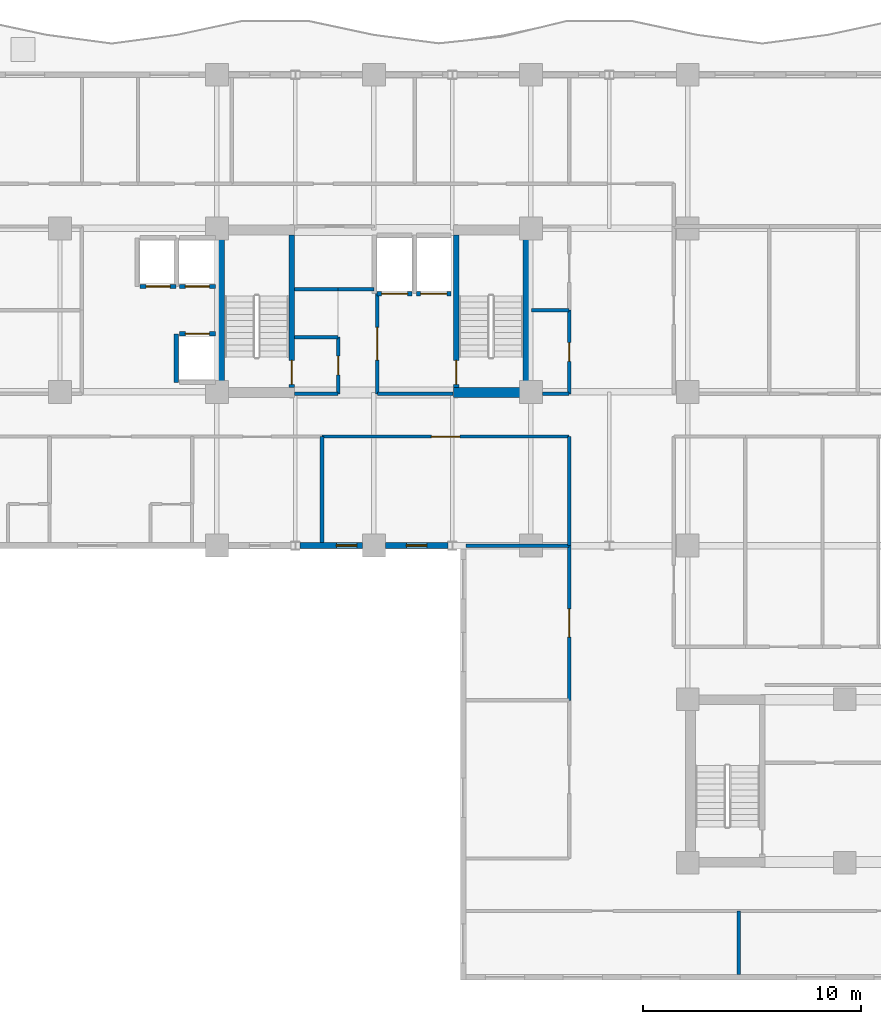
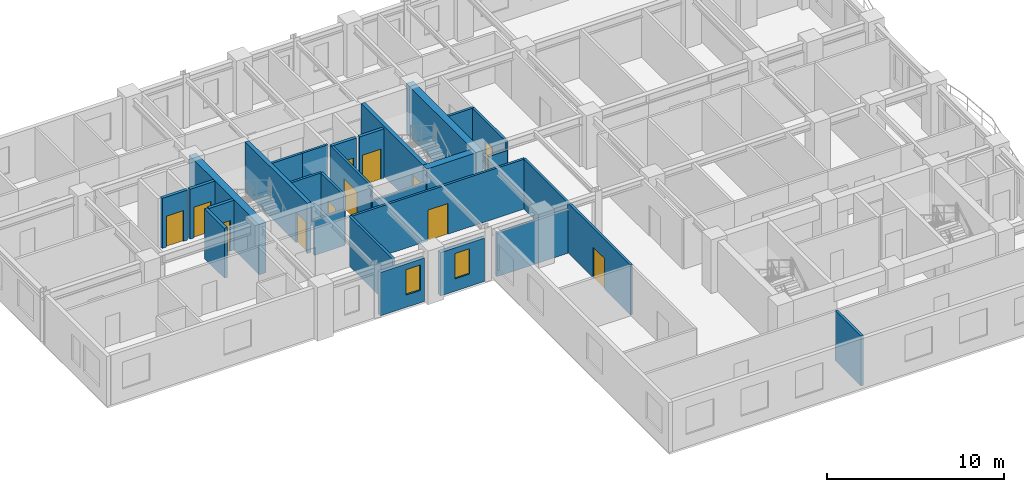
# One storey, part 5 of 12: 29 walls, 12 doors, 2 windows, 14 openings.
"""IFC4 building model written with IfcOpenShell, lengths in metres."""

from ifc_helpers import new_model, si_unit, direction, frame, frame_2d, origin, place, context, subcontext, project, spatial, rectangle, extrude, material, layer, layer_set, type_object, element, fill, save


model = new_model("IFC4")

# Units and contexts
model_context = context("Model", 3, precision=1e-05, world=origin(), true_north=direction((0.0, 1.0)))
body_context = subcontext(model_context, "Body", "Model", "MODEL_VIEW")
ifc_project = project(units=[si_unit("LENGTHUNIT", "METRE"), si_unit("AREAUNIT", "SQUARE_METRE"), si_unit("VOLUMEUNIT", "CUBIC_METRE"), si_unit("PLANEANGLEUNIT", "RADIAN"), si_unit("MASSUNIT", "GRAM", prefix="KILO")], contexts=[model_context])

# Site, building, storey
site_placement = place(None, origin())
site = spatial("IfcSite", under=ifc_project, at=site_placement, CompositionType="ELEMENT")
building_placement = place(site_placement, origin())
building = spatial("IfcBuilding", under=site, at=building_placement, Name="Kaliganga Portal Commons", CompositionType="ELEMENT")
storey_placement = place(building_placement, frame((0.0, 0.0, 147.60009765625)))
storey = spatial("IfcBuildingStorey", under=building, at=storey_placement, Name="L37", CompositionType="ELEMENT", Elevation=147.60009765625)

# Walls
ifc_material_1 = material(Name="Concrete C60/75", Category="concrete")
ifc_layer_1 = layer(ifc_material_1, 0.449951171875)
ifc_layer_set_1 = layer_set([ifc_layer_1], Name="Concrete C60/75")
wall_type_1 = type_object("IfcWallType", Name="WL-CORE-450", PredefinedType="SHEAR", material=ifc_layer_set_1)
for number, where, z_axis, x_axis, name in (
    (1, (14.52490234375, 28.39990234375, 0.0), (0.0, 0.0, 1.0), (0.0, 1.0, 0.0), "Core A West Shear Wall L37"),
    (2, (28.675048828125, 28.39990234375, 0.0), (0.0, 0.0, 1.0), (0.0, 1.0, 0.0), "Core A East Shear Wall L37"),
):
    element("IfcWall", number, at=place(storey_placement, frame(where, z_axis=z_axis, x_axis=x_axis)), inside=storey, type_object=wall_type_1, Name=name, PredefinedType="SHEAR", context=body_context, shape_type="SweptSolid", body=[
        extrude(rectangle(XDim=7.900146484375, YDim=0.449951171875, at=frame_2d((3.9501953125, 0.0))), origin(), (0.0, 0.0, 1.0), 3.4599609375),
    ])
wall_1_placement = place(storey_placement, frame((25.25, 28.625, 0.0), z_axis=(0.0, 0.0, 1.0), x_axis=(1.0, 0.0, 0.0)))
element("IfcWall", 3, at=wall_1_placement, inside=storey, type_object=wall_type_1, Name="Core A S-East Shear Wall L37", PredefinedType="SHEAR", context=body_context, shape_type="SweptSolid", body=[
    extrude(rectangle(XDim=3.199951171875, YDim=0.449951171875, at=frame_2d((1.60009765625, 0.0))), origin(), (0.0, 0.0, 1.0), 3.4599609375),
])

# Wall, opening, window
ifc_material_2 = material(Name="Insulated Aluminium-Clad Spandrel Assembly", Category="aluminium")
ifc_layer_2 = layer(ifc_material_2, 0.260009765625)
ifc_layer_set_2 = layer_set([ifc_layer_2], Name="Insulated Aluminium-Clad Spandrel Assembly")
wall_type_2 = type_object("IfcWallType", Name="WL-EXT-SPAND-260", PredefinedType="STANDARD", material=ifc_layer_set_2)
wall_2_placement = place(storey_placement, frame((21.073974609375, 21.60009765625, 0.0), z_axis=(0.0, 0.0, 1.0), x_axis=(-1.0, 0.0, 0.0)))
wall_2 = element("IfcWall", 4, at=wall_2_placement, inside=storey, type_object=wall_type_2, Name="Exterior Envelope Wall L37 P1-E04-S3", PredefinedType="STANDARD", context=body_context, shape_type="SweptSolid", body=[
    extrude(rectangle(XDim=2.87109375, YDim=0.260009765625, at=frame_2d((1.435546875, 0.0))), origin(), (0.0, 0.0, 1.0), 2.989990234375),
])
opening_1_placement = place(wall_2_placement, frame((0.24853515625, 0.0, 0.85009765625)))
opening_1 = element("IfcOpeningElement", 5, at=opening_1_placement, cuts=wall_2, Name="Opening W-04", PredefinedType="OPENING", context=body_context, shape_type="SweptSolid", body=[
    extrude(rectangle(XDim=0.949951171875, YDim=1.75, at=frame_2d((0.47509765625, 0.875))), frame((0.0, 0.14013671875, 0.0), z_axis=(0.0, -1.0, 0.0), x_axis=(1.0, 0.0, 0.0)), (0.0, 0.0, 1.0), 0.280029296875),
])
ifc_material_3 = material(Name="Thermally Broken Aluminium and Low-E Double Glazing", Category="aluminium")
window_type = type_object("IfcWindowType", Name="WIN-NARROW-950", PartitioningType="SINGLE_PANEL", PredefinedType="WINDOW", material=ifc_material_3)
window_1_placement = place(opening_1_placement, origin())
window_1 = element("IfcWindow", 6, at=window_1_placement, inside=storey, type_object=window_type, Name="Facade Window L37-P1E04S3-N1", OverallHeight=1.75, OverallWidth=0.949951171875, PartitioningType="SINGLE_PANEL", PredefinedType="WINDOW", context=body_context, shape_type="SweptSolid", body=[
    extrude(rectangle(XDim=0.949951171875, YDim=1.75, at=frame_2d((0.47509765625, 0.875))), frame((0.0, 0.030029296875, 0.0), z_axis=(0.0, -1.0, 0.0), x_axis=(1.0, 0.0, 0.0)), (0.0, 0.0, 1.0), 0.06005859375),
])
fill(opening_1, window_1)

wall_3_placement = place(storey_placement, frame((24.9970703125, 21.60009765625, 0.0), z_axis=(0.0, 0.0, 1.0), x_axis=(-1.0, 0.0, 0.0)))
wall_3 = element("IfcWall", 7, at=wall_3_placement, inside=storey, type_object=wall_type_2, Name="Exterior Envelope Wall L37 P1-E04-S4", PredefinedType="STANDARD", context=body_context, shape_type="SweptSolid", body=[
    extrude(rectangle(XDim=2.87109375, YDim=0.260009765625, at=frame_2d((1.435546875, 0.0))), origin(), (0.0, 0.0, 1.0), 2.989990234375),
])
opening_2_placement = place(wall_3_placement, frame((0.96044921875, 0.0, 0.85009765625)))
opening_2 = element("IfcOpeningElement", 8, at=opening_2_placement, cuts=wall_3, Name="Opening W-04", PredefinedType="OPENING", context=body_context, shape_type="SweptSolid", body=[
    extrude(rectangle(XDim=0.949951171875, YDim=1.75, at=frame_2d((0.47509765625, 0.875))), frame((0.0, 0.14013671875, 0.0), z_axis=(0.0, -1.0, 0.0), x_axis=(1.0, 0.0, 0.0)), (0.0, 0.0, 1.0), 0.280029296875),
])
window_2_placement = place(opening_2_placement, origin())
window_2 = element("IfcWindow", 9, at=window_2_placement, inside=storey, type_object=window_type, Name="Facade Window L37-P1E04S4-00", OverallHeight=1.75, OverallWidth=0.949951171875, PartitioningType="SINGLE_PANEL", PredefinedType="WINDOW", context=body_context, shape_type="SweptSolid", body=[
    extrude(rectangle(XDim=0.949951171875, YDim=1.75, at=frame_2d((0.47509765625, 0.875))), frame((0.0, 0.030029296875, 0.0), z_axis=(0.0, -1.0, 0.0), x_axis=(1.0, 0.0, 0.0)), (0.0, 0.0, 1.0), 0.06005859375),
])
fill(opening_2, window_2)

# Wall, opening, door
ifc_material_4 = material(Name="Fire-Rated Gypsum Board on Steel Stud", Category="steel")
ifc_layer_3 = layer(ifc_material_4, 0.14990234375)
ifc_layer_set_3 = layer_set([ifc_layer_3], Name="Fire-Rated Gypsum Board on Steel Stud")
wall_type_3 = type_object("IfcWallType", Name="WL-PART-CORR-150", PredefinedType="PARTITIONING", material=ifc_layer_set_3)
wall_4_placement = place(storey_placement, frame((19.219970703125, 26.60009765625, 0.0), z_axis=(0.0, 0.0, 1.0), x_axis=(1.0, 0.0, 0.0)))
wall_4 = element("IfcWall", 10, at=wall_4_placement, inside=storey, type_object=wall_type_3, Name="Interior Partition L37-009", PredefinedType="PARTITIONING", context=body_context, shape_type="SweptSolid", body=[
    extrude(rectangle(XDim=11.340087890625, YDim=0.14990234375, at=frame_2d((5.669921875, 0.0))), origin(), (0.0, 0.0, 1.0), 3.43994140625),
])
opening_3_placement = place(wall_4_placement, frame((5.02001953125, 0.0, 0.0)))
opening_3 = element("IfcOpeningElement", 11, at=opening_3_placement, cuts=wall_4, Name="Opening RD-03", PredefinedType="OPENING", context=body_context, shape_type="SweptSolid", body=[
    extrude(rectangle(XDim=1.300048828125, YDim=2.1201171875, at=frame_2d((0.64990234375, 1.06005859375))), frame((0.0, 0.0849609375, 0.0), z_axis=(0.0, -1.0, 0.0), x_axis=(1.0, 0.0, 0.0)), (0.0, 0.0, 1.0), 0.169921875),
])
ifc_material_5 = material(Name="Glazed Timber Seminar Vision Door", Category="wood")
door_type_1 = type_object("IfcDoorType", Name="DR-STUDY-1300", OperationType="DOUBLE_DOOR_SINGLE_SWING", PredefinedType="DOOR", material=ifc_material_5)
door_1_placement = place(opening_3_placement, origin())
door_1 = element("IfcDoor", 12, at=door_1_placement, inside=storey, type_object=door_type_1, Name="Interior Door L37-AS04", OperationType="DOUBLE_DOOR_SINGLE_SWING", OverallHeight=2.1201171875, OverallWidth=1.300048828125, PredefinedType="DOOR", context=body_context, shape_type="SweptSolid", body=[
    extrude(rectangle(XDim=1.300048828125, YDim=2.1201171875, at=frame_2d((0.64990234375, 1.06005859375))), frame((0.0, 0.02490234375, 0.0), z_axis=(0.0, -1.0, 0.0), x_axis=(1.0, 0.0, 0.0)), (0.0, 0.0, 1.0), 0.050048828125),
])
fill(opening_3, door_1)

wall_5_placement = place(storey_placement, frame((30.56005859375, 14.5, 0.0), z_axis=(0.0, 0.0, 1.0), x_axis=(0.0, 1.0, 0.0)))
wall_5 = element("IfcWall", 13, at=wall_5_placement, inside=storey, type_object=wall_type_3, Name="Interior Partition L37-018", PredefinedType="PARTITIONING", context=body_context, shape_type="SweptSolid", body=[
    extrude(rectangle(XDim=7.10009765625, YDim=0.14990234375, at=frame_2d((3.550048828125, 0.0))), origin(), (0.0, 0.0, 1.0), 3.43994140625),
])
opening_4_placement = place(wall_5_placement, frame((2.89990234375, 0.0, 0.0)))
opening_4 = element("IfcOpeningElement", 14, at=opening_4_placement, cuts=wall_5, Name="Opening RD-03", PredefinedType="OPENING", context=body_context, shape_type="SweptSolid", body=[
    extrude(rectangle(XDim=1.300048828125, YDim=2.1201171875, at=frame_2d((0.64990234375, 1.06005859375))), frame((0.0, 0.0849609375, 0.0), z_axis=(0.0, -1.0, 0.0), x_axis=(1.0, 0.0, 0.0)), (0.0, 0.0, 1.0), 0.169921875),
])
door_2_placement = place(opening_4_placement, origin())
door_2 = element("IfcDoor", 15, at=door_2_placement, inside=storey, type_object=door_type_1, Name="Interior Door L37-KW02", OperationType="DOUBLE_DOOR_SINGLE_SWING", OverallHeight=2.1201171875, OverallWidth=1.300048828125, PredefinedType="DOOR", context=body_context, shape_type="SweptSolid", body=[
    extrude(rectangle(XDim=1.300048828125, YDim=2.1201171875, at=frame_2d((0.64990234375, 1.06005859375))), frame((0.0, 0.02490234375, 0.0), z_axis=(0.0, -1.0, 0.0), x_axis=(1.0, 0.0, 0.0)), (0.0, 0.0, 1.0), 0.050048828125),
])
fill(opening_4, door_2)

# Wall
wall_6_placement = place(storey_placement, frame((30.56005859375, 21.60009765625, 0.0), z_axis=(0.0, 0.0, 1.0), x_axis=(0.0, 1.0, 0.0)))
element("IfcWall", 16, at=wall_6_placement, inside=storey, type_object=wall_type_3, Name="Interior Partition L37-027", PredefinedType="PARTITIONING", context=body_context, shape_type="SweptSolid", body=[
    extrude(rectangle(XDim=5.0, YDim=0.14990234375, at=frame_2d((2.5, 0.0))), origin(), (0.0, 0.0, 1.0), 3.43994140625),
])

# Wall, opening, door
wall_7_placement = place(storey_placement, frame((30.56005859375, 28.56005859375, 0.0), z_axis=(0.0, 0.0, 1.0), x_axis=(0.0, 1.0, 0.0)))
wall_7 = element("IfcWall", 17, at=wall_7_placement, inside=storey, type_object=wall_type_3, Name="Interior Partition L37-041", PredefinedType="PARTITIONING", context=body_context, shape_type="SweptSolid", body=[
    extrude(rectangle(XDim=3.83984375, YDim=0.14990234375, at=frame_2d((1.919921875, 0.0))), origin(), (0.0, 0.0, 1.0), 3.43994140625),
])
opening_5_placement = place(wall_7_placement, frame((1.489990234375, 0.0, 0.0)))
opening_5 = element("IfcOpeningElement", 18, at=opening_5_placement, cuts=wall_7, Name="Opening WD-02", PredefinedType="OPENING", context=body_context, shape_type="SweptSolid", body=[
    extrude(rectangle(XDim=0.860107421875, YDim=2.02001953125, at=frame_2d((0.43017578125, 1.010009765625))), frame((0.0, 0.0849609375, 0.0), z_axis=(0.0, -1.0, 0.0), x_axis=(1.0, 0.0, 0.0)), (0.0, 0.0, 1.0), 0.169921875),
])
ifc_material_6 = material(Name="Fire-Rated Utility Closet Door", Category="wood")
door_type_2 = type_object("IfcDoorType", Name="DR-STORE-800", OperationType="NOTDEFINED", PredefinedType="DOOR", material=ifc_material_6)
door_3_placement = place(opening_5_placement, origin())
door_3 = element("IfcDoor", 19, at=door_3_placement, inside=storey, type_object=door_type_2, Name="Interior Door L37-CSRV_A1", OperationType="SINGLE_SWING_LEFT", OverallHeight=2.02001953125, OverallWidth=0.860107421875, PredefinedType="DOOR", context=body_context, shape_type="SweptSolid", body=[
    extrude(rectangle(XDim=0.860107421875, YDim=2.02001953125, at=frame_2d((0.43017578125, 1.010009765625))), frame((0.0, 0.02490234375, 0.0), z_axis=(0.0, -1.0, 0.0), x_axis=(1.0, 0.0, 0.0)), (0.0, 0.0, 1.0), 0.050048828125),
])
fill(opening_5, door_3)

wall_8_placement = place(storey_placement, frame((19.9599609375, 28.56005859375, 0.0), z_axis=(0.0, 0.0, 1.0), x_axis=(0.0, 1.0, 0.0)))
wall_8 = element("IfcWall", 20, at=wall_8_placement, inside=storey, type_object=wall_type_3, Name="Interior Partition L37-049", PredefinedType="PARTITIONING", context=body_context, shape_type="SweptSolid", body=[
    extrude(rectangle(XDim=2.599853515625, YDim=0.14990234375, at=frame_2d((1.2998046875, 0.0))), origin(), (0.0, 0.0, 1.0), 3.43994140625),
])
opening_6_placement = place(wall_8_placement, frame((0.8701171875, 0.0, 0.0)))
opening_6 = element("IfcOpeningElement", 21, at=opening_6_placement, cuts=wall_8, Name="Opening WD-02", PredefinedType="OPENING", context=body_context, shape_type="SweptSolid", body=[
    extrude(rectangle(XDim=0.860107421875, YDim=2.02001953125, at=frame_2d((0.43017578125, 1.010009765625))), frame((0.0, 0.0849609375, 0.0), z_axis=(0.0, -1.0, 0.0), x_axis=(1.0, 0.0, 0.0)), (0.0, 0.0, 1.0), 0.169921875),
])
door_4_placement = place(opening_6_placement, origin())
door_4 = element("IfcDoor", 22, at=door_4_placement, inside=storey, type_object=door_type_2, Name="Interior Door L37-CIN_A1", OperationType="SINGLE_SWING_RIGHT", OverallHeight=2.02001953125, OverallWidth=0.860107421875, PredefinedType="DOOR", context=body_context, shape_type="SweptSolid", body=[
    extrude(rectangle(XDim=0.860107421875, YDim=2.02001953125, at=frame_2d((0.43017578125, 1.010009765625))), frame((0.0, 0.02490234375, 0.0), z_axis=(0.0, -1.0, 0.0), x_axis=(1.0, 0.0, 0.0)), (0.0, 0.0, 1.0), 0.050048828125),
])
fill(opening_6, door_4)

# Walls
wall_9_placement = place(storey_placement, frame((17.9599609375, 28.56005859375, 0.0), z_axis=(0.0, 0.0, 1.0), x_axis=(1.0, 0.0, 0.0)))
element("IfcWall", 23, at=wall_9_placement, inside=storey, type_object=wall_type_3, Name="Interior Partition L37-054", PredefinedType="PARTITIONING", context=body_context, shape_type="SweptSolid", body=[
    extrude(rectangle(XDim=2.0, YDim=0.14990234375, at=frame_2d((1.0, 0.0))), origin(), (0.0, 0.0, 1.0), 2.43994140625),
])
for number, where, z_axis, x_axis, name in (
    (24, (17.9599609375, 31.159912109375, 0.0), (0.0, 0.0, 1.0), (1.0, 0.0, 0.0), "Interior Partition L37-055"),
    (25, (17.9599609375, 33.360107421875, 0.0), (0.0, 0.0, 1.0), (1.0, 0.0, 0.0), "Interior Partition L37-056"),
):
    element("IfcWall", number, at=place(storey_placement, frame(where, z_axis=z_axis, x_axis=x_axis)), inside=storey, type_object=wall_type_3, Name=name, PredefinedType="PARTITIONING", context=body_context, shape_type="SweptSolid", body=[
        extrude(rectangle(XDim=2.0, YDim=0.14990234375, at=frame_2d((1.0, 0.0))), origin(), (0.0, 0.0, 1.0), 3.43994140625),
    ])
wall_10_placement = place(storey_placement, frame((29.324951171875, 28.56005859375, 0.0), z_axis=(0.0, 0.0, 1.0), x_axis=(1.0, 0.0, 0.0)))
element("IfcWall", 26, at=wall_10_placement, inside=storey, type_object=wall_type_3, Name="Interior Partition L37-058", PredefinedType="PARTITIONING", context=body_context, shape_type="SweptSolid", body=[
    extrude(rectangle(XDim=1.235107421875, YDim=0.14990234375, at=frame_2d((0.61767578125, 0.0))), origin(), (0.0, 0.0, 1.0), 2.83984375),
])
wall_11_placement = place(storey_placement, frame((19.9599609375, 33.360107421875, 0.0), z_axis=(0.0, 0.0, 1.0), x_axis=(1.0, 0.0, 0.0)))
element("IfcWall", 27, at=wall_11_placement, inside=storey, type_object=wall_type_3, Name="Interior Partition L37-060", PredefinedType="PARTITIONING", context=body_context, shape_type="SweptSolid", body=[
    extrude(rectangle(XDim=1.650146484375, YDim=0.14990234375, at=frame_2d((0.8251953125, 0.0))), origin(), (0.0, 0.0, 1.0), 3.43994140625),
])

# Wall, opening, door
wall_12_placement = place(storey_placement, frame((21.760009765625, 28.56005859375, 0.0), z_axis=(0.0, 0.0, 1.0), x_axis=(0.0, 1.0, 0.0)))
wall_12 = element("IfcWall", 28, at=wall_12_placement, inside=storey, type_object=wall_type_3, Name="Interior Partition L37-079", PredefinedType="PARTITIONING", context=body_context, shape_type="SweptSolid", body=[
    extrude(rectangle(XDim=4.599853515625, YDim=0.14990234375, at=frame_2d((2.2998046875, 0.0))), origin(), (0.0, 0.0, 1.0), 3.43994140625),
])
opening_7_placement = place(wall_12_placement, frame((1.550048828125, 0.0, 0.0)))
opening_7 = element("IfcOpeningElement", 29, at=opening_7_placement, cuts=wall_12, Name="Opening FD-01", PredefinedType="OPENING", context=body_context, shape_type="SweptSolid", body=[
    extrude(rectangle(XDim=1.5, YDim=2.10009765625, at=frame_2d((0.75, 1.050048828125))), frame((0.0, 0.0849609375, 0.0), z_axis=(0.0, -1.0, 0.0), x_axis=(1.0, 0.0, 0.0)), (0.0, 0.0, 1.0), 0.169921875),
])
ifc_material_7 = material(Name="Fire-Rated Hardwood and Georgian-Wired Vision Panel", Category="wood")
door_type_3 = type_object("IfcDoorType", Name="DR-LOBBY-1500", OperationType="DOUBLE_DOOR_SINGLE_SWING", PredefinedType="DOOR", material=ifc_material_7)
door_5_placement = place(opening_7_placement, origin())
door_5 = element("IfcDoor", 30, at=door_5_placement, inside=storey, type_object=door_type_3, Name="Interior Door L37-FFLOB_A", OperationType="DOUBLE_DOOR_SINGLE_SWING", OverallHeight=2.10009765625, OverallWidth=1.5, PredefinedType="DOOR", context=body_context, shape_type="SweptSolid", body=[
    extrude(rectangle(XDim=1.5, YDim=2.10009765625, at=frame_2d((0.75, 1.050048828125))), frame((0.0, 0.02490234375, 0.0), z_axis=(0.0, -1.0, 0.0), x_axis=(1.0, 0.0, 0.0)), (0.0, 0.0, 1.0), 0.050048828125),
])
fill(opening_7, door_5)

# Walls
wall_13_placement = place(storey_placement, frame((21.760009765625, 28.56005859375, 0.0), z_axis=(0.0, 0.0, 1.0), x_axis=(1.0, 0.0, 0.0)))
element("IfcWall", 31, at=wall_13_placement, inside=storey, type_object=wall_type_3, Name="Interior Partition L37-083", PredefinedType="PARTITIONING", context=body_context, shape_type="SweptSolid", body=[
    extrude(rectangle(XDim=3.47998046875, YDim=0.14990234375, at=frame_2d((1.739990234375, 0.0))), origin(), (0.0, 0.0, 1.0), 2.43994140625),
])
ifc_material_8 = material(Name="Twin-Stud Acoustic Gypsum Partition", Category="gypsum")
ifc_layer_4 = layer(ifc_material_8, 0.1650390625)
ifc_layer_set_4 = layer_set([ifc_layer_4], Name="Twin-Stud Acoustic Gypsum Partition")
wall_type_4 = type_object("IfcWallType", Name="WL-PART-UNIT-165", PredefinedType="PARTITIONING", material=ifc_layer_set_4)
wall_14_placement = place(storey_placement, frame((19.219970703125, 21.73193359375, 0.0), z_axis=(0.0, 0.0, 1.0), x_axis=(0.0, 1.0, 0.0)))
element("IfcWall", 32, at=wall_14_placement, inside=storey, type_object=wall_type_4, Name="Interior Partition L37-074", PredefinedType="PARTITIONING", context=body_context, shape_type="SweptSolid", body=[
    extrude(rectangle(XDim=4.8681640625, YDim=0.1650390625, at=frame_2d((2.43408203125, 0.0))), origin(), (0.0, 0.0, 1.0), 3.43994140625),
])
wall_15_placement = place(storey_placement, frame((25.83203125, 21.60009765625, 0.0), z_axis=(0.0, 0.0, 1.0), x_axis=(1.0, 0.0, 0.0)))
element("IfcWall", 33, at=wall_15_placement, inside=storey, type_object=wall_type_4, Name="Interior Partition L37-078", PredefinedType="PARTITIONING", context=body_context, shape_type="SweptSolid", body=[
    extrude(rectangle(XDim=4.72802734375, YDim=0.1650390625, at=frame_2d((2.364013671875, 0.0))), origin(), (0.0, 0.0, 1.0), 2.989990234375),
])
wall_16_placement = place(storey_placement, frame((38.340087890625, 1.931884765625, 0.0), z_axis=(0.0, 0.0, 1.0), x_axis=(0.0, 1.0, 0.0)))
element("IfcWall", 34, at=wall_16_placement, inside=storey, type_object=wall_type_4, Name="Interior Partition L37-086", PredefinedType="PARTITIONING", context=body_context, shape_type="SweptSolid", body=[
    extrude(rectangle(XDim=2.908203125, YDim=0.1650390625, at=frame_2d((1.4541015625, 0.0))), origin(), (0.0, 0.0, 1.0), 3.43994140625),
])
wall_17_placement = place(storey_placement, frame((28.840087890625, 32.39990234375, 0.0), z_axis=(0.0, 0.0, 1.0), x_axis=(1.0, 0.0, 0.0)))
element("IfcWall", 35, at=wall_17_placement, inside=storey, type_object=wall_type_4, Name="Interior Partition L37-088", PredefinedType="PARTITIONING", context=body_context, shape_type="SweptSolid", body=[
    extrude(rectangle(XDim=1.719970703125, YDim=0.1650390625, at=frame_2d((0.85986328125, 0.0))), origin(), (0.0, 0.0, 1.0), 3.43994140625),
])

# Wall, opening, door
ifc_material_9 = material(Name="Fire-Rated Shaftwall Masonry Assembly", Category="masonry")
ifc_layer_5 = layer(ifc_material_9, 0.199951171875)
ifc_layer_set_5 = layer_set([ifc_layer_5], Name="Fire-Rated Shaftwall Masonry Assembly")
wall_type_5 = type_object("IfcWallType", Name="WL-SHAFT-200", PredefinedType="PARTITIONING", material=ifc_layer_set_5)
wall_18_placement = place(storey_placement, frame((12.675048828125, 33.485107421875, 0.0), z_axis=(0.0, 0.0, 1.0), x_axis=(1.0, 0.0, 0.0)))
wall_18 = element("IfcWall", 36, at=wall_18_placement, inside=storey, type_object=wall_type_5, Name="Lift PL-A3 Hoistway Shaft Wall L37-S", PredefinedType="PARTITIONING", context=body_context, shape_type="SweptSolid", body=[
    extrude(rectangle(XDim=1.64990234375, YDim=0.199951171875, at=frame_2d((0.824951171875, 0.0))), origin(), (0.0, 0.0, 1.0), 3.43994140625),
])
opening_8_placement = place(wall_18_placement, frame((0.27490234375, 0.0, 0.0)))
opening_8 = element("IfcOpeningElement", 37, at=opening_8_placement, cuts=wall_18, Name="Opening LD-01", PredefinedType="OPENING", context=body_context, shape_type="SweptSolid", body=[
    extrude(rectangle(XDim=1.10009765625, YDim=2.1201171875, at=frame_2d((0.550048828125, 1.06005859375))), frame((0.0, 0.10986328125, 0.0), z_axis=(0.0, -1.0, 0.0), x_axis=(1.0, 0.0, 0.0)), (0.0, 0.0, 1.0), 0.219970703125),
])
ifc_material_10 = material(Name="Brushed Stainless Steel 316 Lift Landing Door", Category="steel")
door_type_4 = type_object("IfcDoorType", Name="DR-LIFT-1100", OperationType="SLIDING_TO_LEFT", PredefinedType="DOOR", material=ifc_material_10)
door_6_placement = place(opening_8_placement, origin())
door_6 = element("IfcDoor", 38, at=door_6_placement, inside=storey, type_object=door_type_4, Name="Lift PL-A3 Sliding Landing Door L37", OperationType="SLIDING_TO_LEFT", OverallHeight=2.1201171875, OverallWidth=1.10009765625, PredefinedType="DOOR", context=body_context, shape_type="SweptSolid", body=[
    extrude(rectangle(XDim=1.10009765625, YDim=2.1201171875, at=frame_2d((0.550048828125, 1.06005859375))), frame((0.0, 0.02490234375, 0.0), z_axis=(0.0, -1.0, 0.0), x_axis=(1.0, 0.0, 0.0)), (0.0, 0.0, 1.0), 0.050048828125),
])
fill(opening_8, door_6)

wall_19_placement = place(storey_placement, frame((12.675048828125, 31.31494140625, 0.0), z_axis=(0.0, 0.0, 1.0), x_axis=(1.0, 0.0, 0.0)))
wall_19 = element("IfcWall", 39, at=wall_19_placement, inside=storey, type_object=wall_type_5, Name="Lift PL-A4 Hoistway Shaft Wall L37-N", PredefinedType="PARTITIONING", context=body_context, shape_type="SweptSolid", body=[
    extrude(rectangle(XDim=1.64990234375, YDim=0.199951171875, at=frame_2d((0.824951171875, 0.0))), origin(), (0.0, 0.0, 1.0), 3.43994140625),
])
opening_9_placement = place(wall_19_placement, frame((0.27490234375, 0.0, 0.0)))
opening_9 = element("IfcOpeningElement", 40, at=opening_9_placement, cuts=wall_19, Name="Opening LD-01", PredefinedType="OPENING", context=body_context, shape_type="SweptSolid", body=[
    extrude(rectangle(XDim=1.10009765625, YDim=2.1201171875, at=frame_2d((0.550048828125, 1.06005859375))), frame((0.0, 0.10986328125, 0.0), z_axis=(0.0, -1.0, 0.0), x_axis=(1.0, 0.0, 0.0)), (0.0, 0.0, 1.0), 0.219970703125),
])
door_7_placement = place(opening_9_placement, origin())
door_7 = element("IfcDoor", 41, at=door_7_placement, inside=storey, type_object=door_type_4, Name="Lift PL-A4 Sliding Landing Door L37", OperationType="SLIDING_TO_LEFT", OverallHeight=2.1201171875, OverallWidth=1.10009765625, PredefinedType="DOOR", context=body_context, shape_type="SweptSolid", body=[
    extrude(rectangle(XDim=1.10009765625, YDim=2.1201171875, at=frame_2d((0.550048828125, 1.06005859375))), frame((0.0, 0.02490234375, 0.0), z_axis=(0.0, -1.0, 0.0), x_axis=(1.0, 0.0, 0.0)), (0.0, 0.0, 1.0), 0.050048828125),
])
fill(opening_9, door_7)

# Wall
wall_20_placement = place(storey_placement, frame((12.534912109375, 29.0849609375, 0.0), z_axis=(0.0, 0.0, 1.0), x_axis=(0.0, 1.0, 0.0)))
element("IfcWall", 42, at=wall_20_placement, inside=storey, type_object=wall_type_5, Name="Lift PL-A4 Hoistway Shaft Wall L37-W", PredefinedType="PARTITIONING", context=body_context, shape_type="SweptSolid", body=[
    extrude(rectangle(XDim=2.22998046875, YDim=0.199951171875, at=frame_2d((1.114990234375, 0.0))), origin(), (0.0, 0.0, 1.0), 3.43994140625),
])

# Wall, opening, door
wall_21_placement = place(storey_placement, frame((10.875, 33.485107421875, 0.0), z_axis=(0.0, 0.0, 1.0), x_axis=(1.0, 0.0, 0.0)))
wall_21 = element("IfcWall", 43, at=wall_21_placement, inside=storey, type_object=wall_type_5, Name="Lift PL-OBS Hoistway Shaft Wall L37-S", PredefinedType="PARTITIONING", context=body_context, shape_type="SweptSolid", body=[
    extrude(rectangle(XDim=1.64990234375, YDim=0.199951171875, at=frame_2d((0.824951171875, 0.0))), origin(), (0.0, 0.0, 1.0), 3.43994140625),
])
opening_10_placement = place(wall_21_placement, frame((0.27490234375, 0.0, 0.0)))
opening_10 = element("IfcOpeningElement", 44, at=opening_10_placement, cuts=wall_21, Name="Opening LD-01", PredefinedType="OPENING", context=body_context, shape_type="SweptSolid", body=[
    extrude(rectangle(XDim=1.10009765625, YDim=2.1201171875, at=frame_2d((0.550048828125, 1.06005859375))), frame((0.0, 0.10986328125, 0.0), z_axis=(0.0, -1.0, 0.0), x_axis=(1.0, 0.0, 0.0)), (0.0, 0.0, 1.0), 0.219970703125),
])
door_8_placement = place(opening_10_placement, origin())
door_8 = element("IfcDoor", 45, at=door_8_placement, inside=storey, type_object=door_type_4, Name="Lift PL-OBS Sliding Landing Door L37", OperationType="SLIDING_TO_LEFT", OverallHeight=2.1201171875, OverallWidth=1.10009765625, PredefinedType="DOOR", context=body_context, shape_type="SweptSolid", body=[
    extrude(rectangle(XDim=1.10009765625, YDim=2.1201171875, at=frame_2d((0.550048828125, 1.06005859375))), frame((0.0, 0.02490234375, 0.0), z_axis=(0.0, -1.0, 0.0), x_axis=(1.0, 0.0, 0.0)), (0.0, 0.0, 1.0), 0.050048828125),
])
fill(opening_10, door_8)

wall_22_placement = place(storey_placement, frame((21.75, 33.159912109375, 0.0), z_axis=(0.0, 0.0, 1.0), x_axis=(1.0, 0.0, 0.0)))
wall_22 = element("IfcWall", 46, at=wall_22_placement, inside=storey, type_object=wall_type_5, Name="Lift FFL-1 Hoistway Shaft Wall L37-S", PredefinedType="PARTITIONING", context=body_context, shape_type="SweptSolid", body=[
    extrude(rectangle(XDim=1.60009765625, YDim=0.199951171875, at=frame_2d((0.800048828125, 0.0))), origin(), (0.0, 0.0, 1.0), 3.43994140625),
])
opening_11_placement = place(wall_22_placement, frame((0.199951171875, 0.0, 0.0)))
opening_11 = element("IfcOpeningElement", 47, at=opening_11_placement, cuts=wall_22, Name="Opening LD-02", PredefinedType="OPENING", context=body_context, shape_type="SweptSolid", body=[
    extrude(rectangle(XDim=1.199951171875, YDim=2.1201171875, at=frame_2d((0.60009765625, 1.06005859375))), frame((0.0, 0.10986328125, 0.0), z_axis=(0.0, -1.0, 0.0), x_axis=(1.0, 0.0, 0.0)), (0.0, 0.0, 1.0), 0.219970703125),
])
ifc_material_11 = material(Name="Brushed Stainless Steel 316 Stretcher Lift Landing Door", Category="steel")
door_type_5 = type_object("IfcDoorType", Name="DR-LIFT-1200", OperationType="SLIDING_TO_RIGHT", PredefinedType="DOOR", material=ifc_material_11)
door_9_placement = place(opening_11_placement, origin())
door_9 = element("IfcDoor", 48, at=door_9_placement, inside=storey, type_object=door_type_5, Name="Lift FFL-1 Sliding Landing Door L37", OperationType="SLIDING_TO_RIGHT", OverallHeight=2.1201171875, OverallWidth=1.199951171875, PredefinedType="DOOR", context=body_context, shape_type="SweptSolid", body=[
    extrude(rectangle(XDim=1.199951171875, YDim=2.1201171875, at=frame_2d((0.60009765625, 1.06005859375))), frame((0.0, 0.02490234375, 0.0), z_axis=(0.0, -1.0, 0.0), x_axis=(1.0, 0.0, 0.0)), (0.0, 0.0, 1.0), 0.050048828125),
])
fill(opening_11, door_9)

wall_23_placement = place(storey_placement, frame((23.550048828125, 33.159912109375, 0.0), z_axis=(0.0, 0.0, 1.0), x_axis=(1.0, 0.0, 0.0)))
wall_23 = element("IfcWall", 49, at=wall_23_placement, inside=storey, type_object=wall_type_5, Name="Lift FFL-2 Hoistway Shaft Wall L37-S", PredefinedType="PARTITIONING", context=body_context, shape_type="SweptSolid", body=[
    extrude(rectangle(XDim=1.599853515625, YDim=0.199951171875, at=frame_2d((0.7998046875, 0.0))), origin(), (0.0, 0.0, 1.0), 3.43994140625),
])
opening_12_placement = place(wall_23_placement, frame((0.199951171875, 0.0, 0.0)))
opening_12 = element("IfcOpeningElement", 50, at=opening_12_placement, cuts=wall_23, Name="Opening LD-02", PredefinedType="OPENING", context=body_context, shape_type="SweptSolid", body=[
    extrude(rectangle(XDim=1.199951171875, YDim=2.1201171875, at=frame_2d((0.60009765625, 1.06005859375))), frame((0.0, 0.10986328125, 0.0), z_axis=(0.0, -1.0, 0.0), x_axis=(1.0, 0.0, 0.0)), (0.0, 0.0, 1.0), 0.219970703125),
])
door_10_placement = place(opening_12_placement, origin())
door_10 = element("IfcDoor", 51, at=door_10_placement, inside=storey, type_object=door_type_5, Name="Lift FFL-2 Sliding Landing Door L37", OperationType="SLIDING_TO_RIGHT", OverallHeight=2.1201171875, OverallWidth=1.199951171875, PredefinedType="DOOR", context=body_context, shape_type="SweptSolid", body=[
    extrude(rectangle(XDim=1.199951171875, YDim=2.1201171875, at=frame_2d((0.60009765625, 1.06005859375))), frame((0.0, 0.02490234375, 0.0), z_axis=(0.0, -1.0, 0.0), x_axis=(1.0, 0.0, 0.0)), (0.0, 0.0, 1.0), 0.050048828125),
])
fill(opening_12, door_10)

ifc_material_12 = material(Name="Concrete C50/60", Category="concrete")
ifc_layer_6 = layer(ifc_material_12, 0.25)
ifc_layer_set_6 = layer_set([ifc_layer_6], Name="Concrete C50/60")
wall_type_6 = type_object("IfcWallType", Name="WL-STAIR-250", PredefinedType="SHEAR", material=ifc_layer_set_6)
wall_24_placement = place(storey_placement, frame((17.824951171875, 28.85009765625, 0.0), z_axis=(0.0, 0.0, 1.0), x_axis=(0.0, 1.0, 0.0)))
wall_24 = element("IfcWall", 52, at=wall_24_placement, inside=storey, type_object=wall_type_6, Name="Stair A1 Enclosure Shear Wall L37", PredefinedType="SHEAR", context=body_context, shape_type="SweptSolid", body=[
    extrude(rectangle(XDim=7.0, YDim=0.25, at=frame_2d((3.5, 0.0))), origin(), (0.0, 0.0, 1.0), 3.4599609375),
])
opening_13_placement = place(wall_24_placement, frame((0.14990234375, 0.0, 0.0)))
opening_13 = element("IfcOpeningElement", 53, at=opening_13_placement, cuts=wall_24, Name="Opening SD-01", PredefinedType="OPENING", context=body_context, shape_type="SweptSolid", body=[
    extrude(rectangle(XDim=1.10009765625, YDim=2.080078125, at=frame_2d((0.550048828125, 1.0400390625))), frame((0.0, 0.135009765625, 0.0), z_axis=(0.0, -1.0, 0.0), x_axis=(1.0, 0.0, 0.0)), (0.0, 0.0, 1.0), 0.27001953125),
])
ifc_material_13 = material(Name="Galvanized Steel Fire Door Leaf and Frame", Category="steel")
door_type_6 = type_object("IfcDoorType", Name="DR-STAIR-1100", OperationType="NOTDEFINED", PredefinedType="DOOR", material=ifc_material_13)
door_11_placement = place(opening_13_placement, origin())
door_11 = element("IfcDoor", 54, at=door_11_placement, inside=storey, type_object=door_type_6, Name="Protected Stair ST-A1 Fire Door L37", OperationType="SINGLE_SWING_LEFT", OverallHeight=2.080078125, OverallWidth=1.10009765625, PredefinedType="DOOR", context=body_context, shape_type="SweptSolid", body=[
    extrude(rectangle(XDim=1.10009765625, YDim=2.080078125, at=frame_2d((0.550048828125, 1.0400390625))), frame((0.0, 0.02490234375, 0.0), z_axis=(0.0, -1.0, 0.0), x_axis=(1.0, 0.0, 0.0)), (0.0, 0.0, 1.0), 0.050048828125),
])
fill(opening_13, door_11)

wall_25_placement = place(storey_placement, frame((25.375, 28.85009765625, 0.0), z_axis=(0.0, 0.0, 1.0), x_axis=(0.0, 1.0, 0.0)))
wall_25 = element("IfcWall", 55, at=wall_25_placement, inside=storey, type_object=wall_type_6, Name="Stair A2 Enclosure Shear Wall L37", PredefinedType="SHEAR", context=body_context, shape_type="SweptSolid", body=[
    extrude(rectangle(XDim=7.0, YDim=0.25, at=frame_2d((3.5, 0.0))), origin(), (0.0, 0.0, 1.0), 3.4599609375),
])
opening_14_placement = place(wall_25_placement, frame((0.14990234375, 0.0, 0.0)))
opening_14 = element("IfcOpeningElement", 56, at=opening_14_placement, cuts=wall_25, Name="Opening SD-01", PredefinedType="OPENING", context=body_context, shape_type="SweptSolid", body=[
    extrude(rectangle(XDim=1.10009765625, YDim=2.080078125, at=frame_2d((0.550048828125, 1.0400390625))), frame((0.0, 0.135009765625, 0.0), z_axis=(0.0, -1.0, 0.0), x_axis=(1.0, 0.0, 0.0)), (0.0, 0.0, 1.0), 0.27001953125),
])
door_12_placement = place(opening_14_placement, origin())
door_12 = element("IfcDoor", 57, at=door_12_placement, inside=storey, type_object=door_type_6, Name="Protected Stair ST-A2 Fire Door L37", OperationType="SINGLE_SWING_RIGHT", OverallHeight=2.080078125, OverallWidth=1.10009765625, PredefinedType="DOOR", context=body_context, shape_type="SweptSolid", body=[
    extrude(rectangle(XDim=1.10009765625, YDim=2.080078125, at=frame_2d((0.550048828125, 1.0400390625))), frame((0.0, 0.02490234375, 0.0), z_axis=(0.0, -1.0, 0.0), x_axis=(1.0, 0.0, 0.0)), (0.0, 0.0, 1.0), 0.050048828125),
])
fill(opening_14, door_12)

save(model, "model.ifc")
